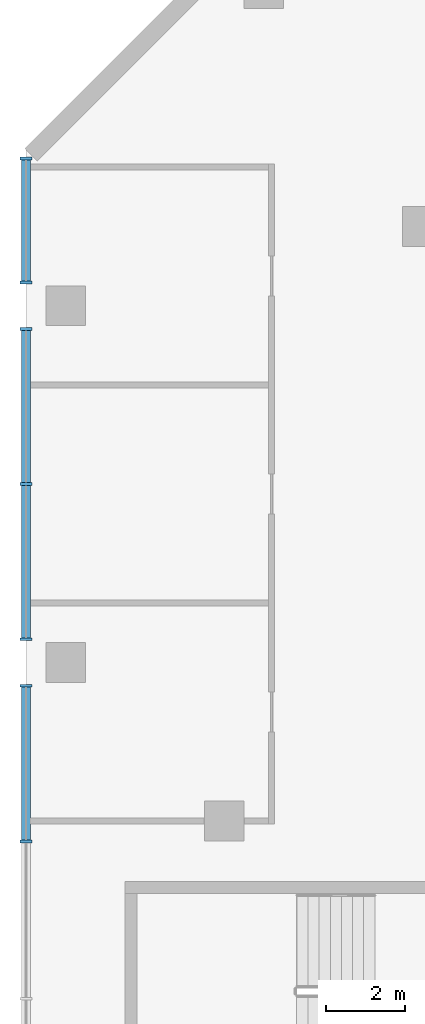
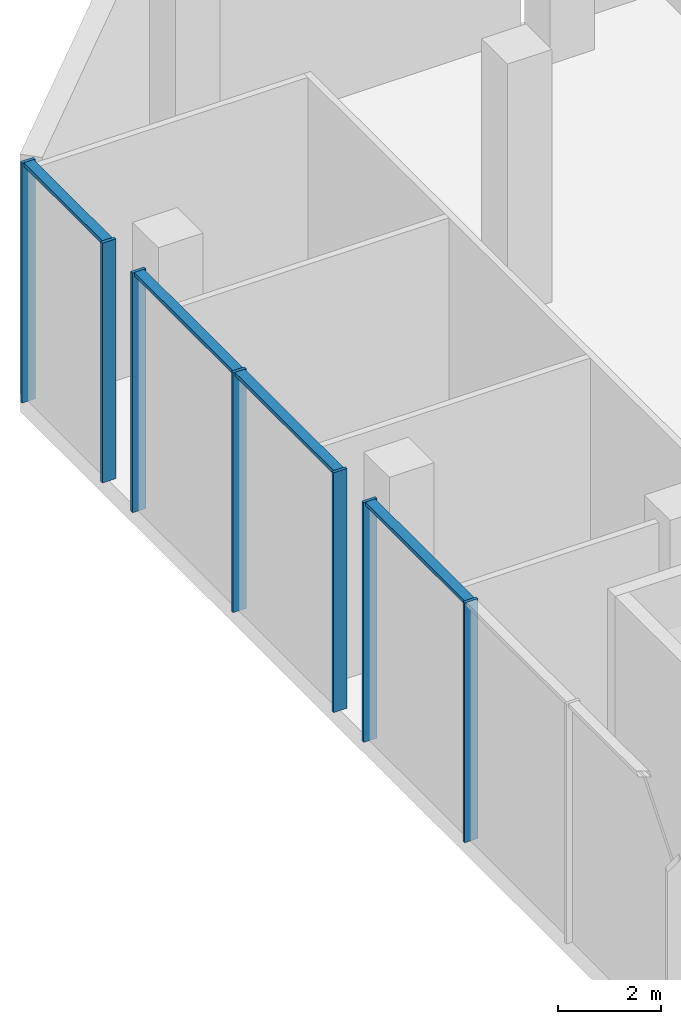
# One storey, part 6 of 30: 11 members, 3 elements without a shape of their own.
"""IFC4 building model written with IfcOpenShell, lengths in metres."""

from ifc_helpers import new_model, si_unit, direction, frame, origin, origin_2d, place, context, subcontext, project, spatial, rectangle, extrude, material, material_profile, profile_set, type_object, element, aggregate, save


model = new_model("IFC4")

# Units and contexts
model_context = context("Model", 3, precision=1e-05, world=origin(), true_north=direction((0.0, 1.0)))
body_context = subcontext(model_context, "Body", "Model", "MODEL_VIEW")
ifc_project = project(units=[si_unit("LENGTHUNIT", "METRE"), si_unit("AREAUNIT", "SQUARE_METRE"), si_unit("VOLUMEUNIT", "CUBIC_METRE"), si_unit("PLANEANGLEUNIT", "RADIAN"), si_unit("MASSUNIT", "GRAM", prefix="KILO")], contexts=[model_context])

# Site, building, storey
site_placement = place(None, origin())
site = spatial("IfcSite", under=ifc_project, at=site_placement, CompositionType="ELEMENT")
building_placement = place(site_placement, origin())
building = spatial("IfcBuilding", under=site, at=building_placement, Name="Wharfspan Tower", CompositionType="ELEMENT")
storey_placement = place(building_placement, frame((0.0, 0.0, 21.5)))
storey = spatial("IfcBuildingStorey", under=building, at=storey_placement, Name="L03", CompositionType="ELEMENT", Elevation=21.5)

# Curtain wall, members
ifc_material = material(Name="Aluminium 6063-T6", Category="aluminium")
curtain_wall_type = type_object("IfcCurtainWallType", Name="CURTAIN WALL ARENA STICK WALL", PredefinedType="NOTDEFINED", material=ifc_material)
curtain_wall_1_placement = place(storey_placement, origin())
curtain_wall_1 = element("IfcCurtainWall", 1, at=curtain_wall_1_placement, inside=storey, type_object=curtain_wall_type, Name="Concourse stick wall PF12.1", PredefinedType="NOTDEFINED")
ifc_material_profile_1 = material_profile(ifc_material, rectangle(XDim=0.300049, YDim=0.070068, at=origin_2d()))
ifc_profile_set_1 = profile_set([ifc_material_profile_1], Name="Aluminium 6063-T6")
member_type_1 = type_object("IfcMemberType", Name="MULLION ARENA STICK WALL 70x300", PredefinedType="MULLION", material=ifc_profile_set_1)
member_1_placement = place(storey_placement, frame((-12.0, 49.715088, 0.0), z_axis=(0.0, 0.0, 1.0), x_axis=(1.0, 0.0, 0.0)))
member_1 = element("IfcMember", 2, at=member_1_placement, type_object=member_type_1, Name="Concourse stick wall PF12.1 mullion 1", PredefinedType="MULLION", context=body_context, shape_type="SweptSolid", body=[
    extrude(rectangle(XDim=0.300049, YDim=0.070068, at=origin_2d()), origin(), (0.0, 0.0, 1.0), 5.699951),
])
member_2_placement = place(storey_placement, frame((-12.0, 46.584961, 0.0), z_axis=(0.0, 0.0, 1.0), x_axis=(1.0, 0.0, 0.0)))
member_2 = element("IfcMember", 3, at=member_2_placement, type_object=member_type_1, Name="Concourse stick wall PF12.1 mullion 2", PredefinedType="MULLION", context=body_context, shape_type="SweptSolid", body=[
    extrude(rectangle(XDim=0.300049, YDim=0.070068, at=origin_2d()), origin(), (0.0, 0.0, 1.0), 5.699951),
])

curtain_wall_2_placement = place(storey_placement, origin())
curtain_wall_2 = element("IfcCurtainWall", 4, at=curtain_wall_2_placement, inside=storey, type_object=curtain_wall_type, Name="Concourse stick wall PF12.2", PredefinedType="NOTDEFINED")
member_3_placement = place(storey_placement, frame((-12.0, 45.415039, 0.0), z_axis=(0.0, 0.0, 1.0), x_axis=(1.0, 0.0, 0.0)))
member_3 = element("IfcMember", 5, at=member_3_placement, type_object=member_type_1, Name="Concourse stick wall PF12.2 mullion 1", PredefinedType="MULLION", context=body_context, shape_type="SweptSolid", body=[
    extrude(rectangle(XDim=0.300049, YDim=0.070068, at=origin_2d()), origin(), (0.0, 0.0, 1.0), 5.699951),
])
member_4_placement = place(storey_placement, frame((-12.0, 41.5, 0.0), z_axis=(0.0, 0.0, 1.0), x_axis=(1.0, 0.0, 0.0)))
member_4 = element("IfcMember", 6, at=member_4_placement, type_object=member_type_1, Name="Concourse stick wall PF12.2 mullion 2", PredefinedType="MULLION", context=body_context, shape_type="SweptSolid", body=[
    extrude(rectangle(XDim=0.300049, YDim=0.070068, at=origin_2d()), origin(), (0.0, 0.0, 1.0), 5.699951),
])
member_5_placement = place(storey_placement, frame((-12.0, 37.584961, 0.0), z_axis=(0.0, 0.0, 1.0), x_axis=(1.0, 0.0, 0.0)))
member_5 = element("IfcMember", 7, at=member_5_placement, type_object=member_type_1, Name="Concourse stick wall PF12.2 mullion 3", PredefinedType="MULLION", context=body_context, shape_type="SweptSolid", body=[
    extrude(rectangle(XDim=0.300049, YDim=0.070068, at=origin_2d()), origin(), (0.0, 0.0, 1.0), 5.699951),
])

curtain_wall_3_placement = place(storey_placement, origin())
curtain_wall_3 = element("IfcCurtainWall", 8, at=curtain_wall_3_placement, inside=storey, type_object=curtain_wall_type, Name="Concourse stick wall PF12.3", PredefinedType="NOTDEFINED")
member_6_placement = place(storey_placement, frame((-12.0, 36.415039, 0.0), z_axis=(0.0, 0.0, 1.0), x_axis=(1.0, 0.0, 0.0)))
member_6 = element("IfcMember", 9, at=member_6_placement, type_object=member_type_1, Name="Concourse stick wall PF12.3 mullion 1", PredefinedType="MULLION", context=body_context, shape_type="SweptSolid", body=[
    extrude(rectangle(XDim=0.300049, YDim=0.070068, at=origin_2d()), origin(), (0.0, 0.0, 1.0), 5.699951),
])
member_7_placement = place(storey_placement, frame((-12.0, 32.483398, 0.0), z_axis=(0.0, 0.0, 1.0), x_axis=(1.0, 0.0, 0.0)))
member_7 = element("IfcMember", 10, at=member_7_placement, type_object=member_type_1, Name="Concourse stick wall PF12.3 mullion 2", PredefinedType="MULLION", context=body_context, shape_type="SweptSolid", body=[
    extrude(rectangle(XDim=0.300049, YDim=0.070068, at=origin_2d()), origin(), (0.0, 0.0, 1.0), 5.699951),
])

# Member
ifc_material_profile_2 = material_profile(ifc_material, rectangle(XDim=0.219971, YDim=0.090088, at=origin_2d()))
ifc_profile_set_2 = profile_set([ifc_material_profile_2], Name="Aluminium 6063-T6")
member_type_2 = type_object("IfcMemberType", Name="TRANSOM ARENA STICK WALL 90x220", PredefinedType="USERDEFINED", material=ifc_profile_set_2)
member_8_placement = place(storey_placement, frame((-12.0, 49.679932, 5.655029), z_axis=(0.0, -1.0, 0.0), x_axis=(1.0, 0.0, 0.0)))
member_8 = element("IfcMember", 11, at=member_8_placement, type_object=member_type_2, Name="Concourse stick wall PF12.1 transom 1", ObjectType="TRANSOM", PredefinedType="USERDEFINED", context=body_context, shape_type="SweptSolid", body=[
    extrude(rectangle(XDim=0.219971, YDim=0.090088, at=origin_2d()), origin(), (0.0, 0.0, 1.0), 3.059814),
])

aggregate(curtain_wall_1, [member_1, member_2, member_8])

member_9_placement = place(storey_placement, frame((-12.0, 45.379883, 5.655029), z_axis=(0.0, -1.0, 0.0), x_axis=(1.0, 0.0, 0.0)))
member_9 = element("IfcMember", 12, at=member_9_placement, type_object=member_type_2, Name="Concourse stick wall PF12.2 transom 1", ObjectType="TRANSOM", PredefinedType="USERDEFINED", context=body_context, shape_type="SweptSolid", body=[
    extrude(rectangle(XDim=0.219971, YDim=0.090088, at=origin_2d()), origin(), (0.0, 0.0, 1.0), 3.844971),
])

member_10_placement = place(storey_placement, frame((-12.0, 41.465088, 5.655029), z_axis=(0.0, -1.0, 0.0), x_axis=(1.0, 0.0, 0.0)))
member_10 = element("IfcMember", 13, at=member_10_placement, type_object=member_type_2, Name="Concourse stick wall PF12.2 transom 2", ObjectType="TRANSOM", PredefinedType="USERDEFINED", context=body_context, shape_type="SweptSolid", body=[
    extrude(rectangle(XDim=0.219971, YDim=0.090088, at=origin_2d()), origin(), (0.0, 0.0, 1.0), 3.844971),
])

aggregate(curtain_wall_2, [member_3, member_4, member_5, member_9, member_10])

member_11_placement = place(storey_placement, frame((-12.0, 36.379883, 5.655029), z_axis=(0.0, -1.0, 0.0), x_axis=(1.0, 0.0, 0.0)))
member_11 = element("IfcMember", 14, at=member_11_placement, type_object=member_type_2, Name="Concourse stick wall PF12.3 transom 1", ObjectType="TRANSOM", PredefinedType="USERDEFINED", context=body_context, shape_type="SweptSolid", body=[
    extrude(rectangle(XDim=0.219971, YDim=0.090088, at=origin_2d()), origin(), (0.0, 0.0, 1.0), 3.861572),
])

aggregate(curtain_wall_3, [member_6, member_7, member_11])

save(model, "model.ifc")
